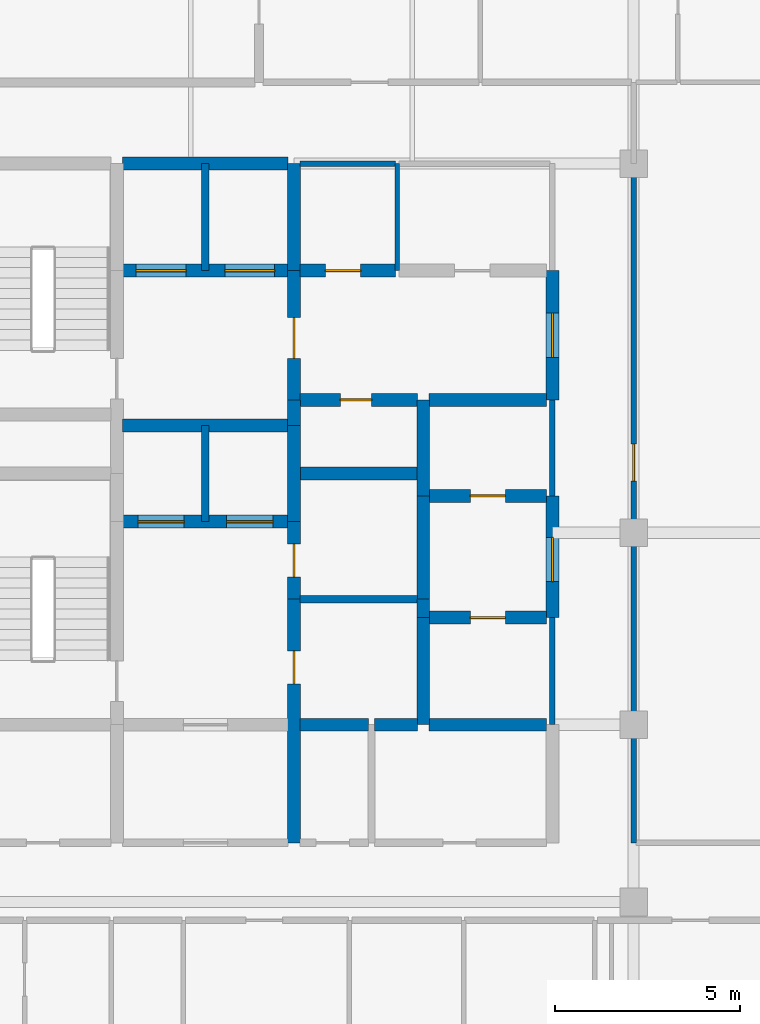
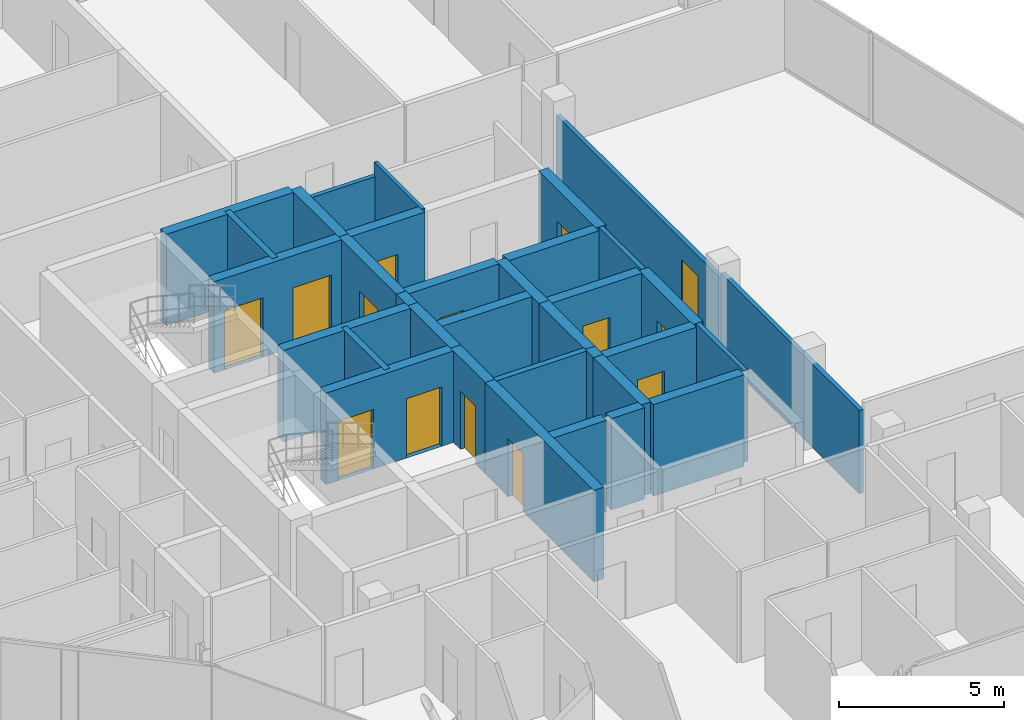
# One storey, part 24 of 27: 34 walls, 14 doors, 14 openings.
"""IFC4 building model written with IfcOpenShell, lengths in metres."""

from ifc_helpers import new_model, si_unit, direction, frame, frame_2d, origin, place, context, subcontext, project, spatial, rectangle, extrude, material, layer, layer_set, type_object, element, fill, save


model = new_model("IFC4")

# Units and contexts
model_context = context("Model", 3, precision=1e-05, world=origin(), true_north=direction((0.0, 1.0)))
body_context = subcontext(model_context, "Body", "Model", "MODEL_VIEW")
ifc_project = project(units=[si_unit("LENGTHUNIT", "METRE"), si_unit("AREAUNIT", "SQUARE_METRE"), si_unit("VOLUMEUNIT", "CUBIC_METRE"), si_unit("PLANEANGLEUNIT", "RADIAN"), si_unit("MASSUNIT", "GRAM", prefix="KILO")], contexts=[model_context])

# Site, building, storey
site_placement = place(None, origin())
site = spatial("IfcSite", under=ifc_project, at=site_placement, CompositionType="ELEMENT")
building_placement = place(site_placement, origin())
building = spatial("IfcBuilding", under=site, at=building_placement, Name="Keshet Zoharim Tower", CompositionType="ELEMENT")
storey_placement = place(building_placement, frame((0.0, 0.0, 247.300048828125)))
storey = spatial("IfcBuildingStorey", under=building, at=storey_placement, Name="L61", CompositionType="ELEMENT", Elevation=247.300048828125)

# Walls
ifc_material_1 = material(Name="Gypsum Plasterboard", Category="gypsum")
ifc_layer_1 = layer(ifc_material_1, 0.14990234375)
ifc_layer_set_1 = layer_set([ifc_layer_1], Name="Gypsum Plasterboard")
wall_type_1 = type_object("IfcWallType", Name="WL-CLIN-150", PredefinedType="STANDARD", material=ifc_layer_set_1)
wall_1_placement = place(storey_placement, frame((30.800048828125, 22.699951171875, 0.0), z_axis=(0.0, 0.0, 1.0), x_axis=(0.0, 1.0, 0.0)))
element("IfcWall", 1, at=wall_1_placement, inside=storey, type_object=wall_type_1, Name="L61 Interior Wall 055", PredefinedType="STANDARD", context=body_context, shape_type="SweptSolid", body=[
    extrude(rectangle(XDim=2.900146484375, YDim=0.14990234375, at=frame_2d((1.4501953125, 0.0))), origin(), (0.0, 0.0, 1.0), 3.389892578125),
])
wall_2_placement = place(storey_placement, frame((30.800048828125, 28.89990234375, 0.0), z_axis=(0.0, 0.0, 1.0), x_axis=(0.0, 1.0, 0.0)))
element("IfcWall", 2, at=wall_2_placement, inside=storey, type_object=wall_type_1, Name="L61 Interior Wall 057", PredefinedType="STANDARD", context=body_context, shape_type="SweptSolid", body=[
    extrude(rectangle(XDim=2.60009765625, YDim=0.14990234375, at=frame_2d((1.300048828125, 0.0))), origin(), (0.0, 0.0, 1.0), 3.389892578125),
])
wall_3_placement = place(storey_placement, frame((33.0, 19.5, 0.0), z_axis=(0.0, 0.0, 1.0), x_axis=(0.0, 1.0, 0.0)))
element("IfcWall", 3, at=wall_3_placement, inside=storey, type_object=wall_type_1, Name="L61 Interior Wall 063", PredefinedType="STANDARD", context=body_context, shape_type="SweptSolid", body=[
    extrude(rectangle(XDim=8.39990234375, YDim=0.14990234375, at=frame_2d((4.199951171875, 0.0))), origin(), (0.0, 0.0, 1.0), 3.099853515625),
])
wall_4_placement = place(storey_placement, frame((23.9599609375, 37.89990234375, 0.0), z_axis=(0.0, 0.0, 1.0), x_axis=(1.0, 0.0, 0.0)))
element("IfcWall", 4, at=wall_4_placement, inside=storey, type_object=wall_type_1, Name="L61 Interior Wall 130", PredefinedType="STANDARD", context=body_context, shape_type="SweptSolid", body=[
    extrude(rectangle(XDim=2.594970703125, YDim=0.14990234375, at=frame_2d((1.29736328125, 0.0))), origin(), (0.0, 0.0, 1.0), 2.889892578125),
])

# Wall, opening, door
wall_5_placement = place(storey_placement, frame((33.0, 27.89990234375, 0.0), z_axis=(0.0, 0.0, 1.0), x_axis=(0.0, 1.0, 0.0)))
wall_5 = element("IfcWall", 5, at=wall_5_placement, inside=storey, type_object=wall_type_1, Name="L61 Interior Wall 063 Part 2", PredefinedType="STANDARD", context=body_context, shape_type="SweptSolid", body=[
    extrude(rectangle(XDim=10.0, YDim=0.14990234375, at=frame_2d((5.0, 0.0))), origin(), (0.0, 0.0, 1.0), 2.889892578125),
])
opening_1_placement = place(wall_5_placement, frame((1.39990234375, 0.0, 0.0)))
opening_1 = element("IfcOpeningElement", 6, at=opening_1_placement, cuts=wall_5, Name="Opening D-F310", PredefinedType="OPENING", context=body_context, shape_type="SweptSolid", body=[
    extrude(rectangle(XDim=1.0, YDim=2.14990234375, at=frame_2d((0.5, 1.074951171875))), frame((0.0, 0.0849609375, 0.0), z_axis=(0.0, -1.0, 0.0), x_axis=(1.0, 0.0, 0.0)), (0.0, 0.0, 1.0), 0.169921875),
])
ifc_material_2 = material(Name="Hardwood Timber", Category="wood")
door_type_1 = type_object("IfcDoorType", Name="DR-FD30-100", OperationType="NOTDEFINED", PredefinedType="DOOR", material=ifc_material_2)
door_1_placement = place(opening_1_placement, origin())
door_1 = element("IfcDoor", 7, at=door_1_placement, inside=storey, type_object=door_type_1, Name="L61 North West Residents Services Suite Door 1", OperationType="SINGLE_SWING_LEFT", OverallHeight=2.14990234375, OverallWidth=1.0, PredefinedType="DOOR", context=body_context, shape_type="SweptSolid", body=[
    extrude(rectangle(XDim=1.0, YDim=2.14990234375, at=frame_2d((0.5, 1.074951171875))), frame((0.0, 0.02490234375, 0.0), z_axis=(0.0, -1.0, 0.0), x_axis=(1.0, 0.0, 0.0)), (0.0, 0.0, 1.0), 0.050048828125),
])
fill(opening_1, door_1)

ifc_material_3 = material(Name="Concrete C60/75", Category="concrete")
ifc_layer_2 = layer(ifc_material_3, 0.35009765625)
ifc_layer_set_2 = layer_set([ifc_layer_2], Name="Concrete C60/75")
wall_type_2 = type_object("IfcWallType", Name="WL-CORE-350", PredefinedType="SHEAR", material=ifc_layer_set_2)
wall_6_placement = place(storey_placement, frame((23.800048828125, 19.5, 0.0), z_axis=(0.0, 0.0, 1.0), x_axis=(0.0, 1.0, 0.0)))
wall_6 = element("IfcWall", 8, at=wall_6_placement, inside=storey, type_object=wall_type_2, Name="L61 Core Shear Wall 037", PredefinedType="SHEAR", context=body_context, shape_type="SweptSolid", body=[
    extrude(rectangle(XDim=6.60009765625, YDim=0.35009765625, at=frame_2d((3.300048828125, 0.0))), origin(), (0.0, 0.0, 1.0), 3.389892578125),
])
opening_2_placement = place(wall_6_placement, frame((4.303955078125, 0.0, 0.0)))
opening_2 = element("IfcOpeningElement", 9, at=opening_2_placement, cuts=wall_6, Name="Opening D-F690", PredefinedType="OPENING", context=body_context, shape_type="SweptSolid", body=[
    extrude(rectangle(XDim=0.89990234375, YDim=2.14990234375, at=frame_2d((0.449951171875, 1.074951171875))), frame((0.0, 0.18505859375, 0.0), z_axis=(0.0, -1.0, 0.0), x_axis=(1.0, 0.0, 0.0)), (0.0, 0.0, 1.0), 0.3701171875),
])
door_type_2 = type_object("IfcDoorType", Name="DR-FD60-090", OperationType="NOTDEFINED", PredefinedType="DOOR", material=ifc_material_2)
door_2_placement = place(opening_2_placement, origin())
door_2 = element("IfcDoor", 10, at=door_2_placement, inside=storey, type_object=door_type_2, Name="L61 Core Linen Store Door", OperationType="SINGLE_SWING_LEFT", OverallHeight=2.14990234375, OverallWidth=0.89990234375, PredefinedType="DOOR", context=body_context, shape_type="SweptSolid", body=[
    extrude(rectangle(XDim=0.89990234375, YDim=2.14990234375, at=frame_2d((0.449951171875, 1.074951171875))), frame((0.0, 0.02490234375, 0.0), z_axis=(0.0, -1.0, 0.0), x_axis=(1.0, 0.0, 0.0)), (0.0, 0.0, 1.0), 0.050048828125),
])
fill(opening_2, door_2)

wall_7_placement = place(storey_placement, frame((23.800048828125, 26.10009765625, 0.0), z_axis=(0.0, 0.0, 1.0), x_axis=(0.0, 1.0, 0.0)))
wall_7 = element("IfcWall", 11, at=wall_7_placement, inside=storey, type_object=wall_type_2, Name="L61 Core Shear Wall 038", PredefinedType="SHEAR", context=body_context, shape_type="SweptSolid", body=[
    extrude(rectangle(XDim=2.099853515625, YDim=0.35009765625, at=frame_2d((1.0498046875, 0.0))), origin(), (0.0, 0.0, 1.0), 3.389892578125),
])
opening_3_placement = place(wall_7_placement, frame((0.60009765625, 0.0, 0.0)))
opening_3 = element("IfcOpeningElement", 12, at=opening_3_placement, cuts=wall_7, Name="Opening D-F690", PredefinedType="OPENING", context=body_context, shape_type="SweptSolid", body=[
    extrude(rectangle(XDim=0.89990234375, YDim=2.14990234375, at=frame_2d((0.449951171875, 1.074951171875))), frame((0.0, 0.18505859375, 0.0), z_axis=(0.0, -1.0, 0.0), x_axis=(1.0, 0.0, 0.0)), (0.0, 0.0, 1.0), 0.3701171875),
])
door_3_placement = place(opening_3_placement, origin())
door_3 = element("IfcDoor", 13, at=door_3_placement, inside=storey, type_object=door_type_2, Name="L61 Core Electrical Room Door", OperationType="SINGLE_SWING_RIGHT", OverallHeight=2.14990234375, OverallWidth=0.89990234375, PredefinedType="DOOR", context=body_context, shape_type="SweptSolid", body=[
    extrude(rectangle(XDim=0.89990234375, YDim=2.14990234375, at=frame_2d((0.449951171875, 1.074951171875))), frame((0.0, 0.02490234375, 0.0), z_axis=(0.0, -1.0, 0.0), x_axis=(1.0, 0.0, 0.0)), (0.0, 0.0, 1.0), 0.050048828125),
])
fill(opening_3, door_3)

# Walls
wall_8_placement = place(storey_placement, frame((23.800048828125, 28.199951171875, 0.0), z_axis=(0.0, 0.0, 1.0), x_axis=(0.0, 1.0, 0.0)))
element("IfcWall", 14, at=wall_8_placement, inside=storey, type_object=wall_type_2, Name="L61 Core Shear Wall 039", PredefinedType="SHEAR", context=body_context, shape_type="SweptSolid", body=[
    extrude(rectangle(XDim=2.60009765625, YDim=0.35009765625, at=frame_2d((1.300048828125, 0.0))), origin(), (0.0, 0.0, 1.0), 3.389892578125),
])
wall_9_placement = place(storey_placement, frame((23.800048828125, 30.800048828125, 0.0), z_axis=(0.0, 0.0, 1.0), x_axis=(0.0, 1.0, 0.0)))
element("IfcWall", 15, at=wall_9_placement, inside=storey, type_object=wall_type_2, Name="L61 Core Shear Wall 040", PredefinedType="SHEAR", context=body_context, shape_type="SweptSolid", body=[
    extrude(rectangle(XDim=0.699951171875, YDim=0.35009765625, at=frame_2d((0.35009765625, 0.0))), origin(), (0.0, 0.0, 1.0), 3.389892578125),
])

# Wall, opening, door
wall_10_placement = place(storey_placement, frame((23.800048828125, 31.5, 0.0), z_axis=(0.0, 0.0, 1.0), x_axis=(0.0, 1.0, 0.0)))
wall_10 = element("IfcWall", 16, at=wall_10_placement, inside=storey, type_object=wall_type_2, Name="L61 Core Shear Wall 041", PredefinedType="SHEAR", context=body_context, shape_type="SweptSolid", body=[
    extrude(rectangle(XDim=3.5, YDim=0.35009765625, at=frame_2d((1.75, 0.0))), origin(), (0.0, 0.0, 1.0), 3.389892578125),
])
opening_4_placement = place(wall_10_placement, frame((1.126953125, 0.0, 0.0)))
opening_4 = element("IfcOpeningElement", 17, at=opening_4_placement, cuts=wall_10, Name="Opening D-F611", PredefinedType="OPENING", context=body_context, shape_type="SweptSolid", body=[
    extrude(rectangle(XDim=1.10009765625, YDim=2.14990234375, at=frame_2d((0.550048828125, 1.074951171875))), frame((0.0, 0.18505859375, 0.0), z_axis=(0.0, -1.0, 0.0), x_axis=(1.0, 0.0, 0.0)), (0.0, 0.0, 1.0), 0.3701171875),
])
door_type_3 = type_object("IfcDoorType", Name="DR-FD60-110", OperationType="NOTDEFINED", PredefinedType="DOOR", material=ifc_material_2)
door_4_placement = place(opening_4_placement, origin())
door_4 = element("IfcDoor", 18, at=door_4_placement, inside=storey, type_object=door_type_3, Name="L61 Firefighting Lobby Fire Door", OperationType="SINGLE_SWING_LEFT", OverallHeight=2.14990234375, OverallWidth=1.10009765625, PredefinedType="DOOR", context=body_context, shape_type="SweptSolid", body=[
    extrude(rectangle(XDim=1.10009765625, YDim=2.14990234375, at=frame_2d((0.550048828125, 1.074951171875))), frame((0.0, 0.02490234375, 0.0), z_axis=(0.0, -1.0, 0.0), x_axis=(1.0, 0.0, 0.0)), (0.0, 0.0, 1.0), 0.050048828125),
])
fill(opening_4, door_4)

# Walls
wall_11_placement = place(storey_placement, frame((23.800048828125, 35.0, 0.0), z_axis=(0.0, 0.0, 1.0), x_axis=(0.0, 1.0, 0.0)))
element("IfcWall", 19, at=wall_11_placement, inside=storey, type_object=wall_type_2, Name="L61 Core Shear Wall 042", PredefinedType="SHEAR", context=body_context, shape_type="SweptSolid", body=[
    extrude(rectangle(XDim=2.89990234375, YDim=0.35009765625, at=frame_2d((1.449951171875, 0.0))), origin(), (0.0, 0.0, 1.0), 3.389892578125),
])
wall_12_placement = place(storey_placement, frame((27.300048828125, 22.699951171875, 0.0), z_axis=(0.0, 0.0, 1.0), x_axis=(0.0, 1.0, 0.0)))
element("IfcWall", 20, at=wall_12_placement, inside=storey, type_object=wall_type_2, Name="L61 Core Shear Wall 047", PredefinedType="SHEAR", context=body_context, shape_type="SweptSolid", body=[
    extrude(rectangle(XDim=2.900146484375, YDim=0.35009765625, at=frame_2d((1.4501953125, 0.0))), origin(), (0.0, 0.0, 1.0), 3.389892578125),
])
wall_13_placement = place(storey_placement, frame((27.300048828125, 25.60009765625, 0.0), z_axis=(0.0, 0.0, 1.0), x_axis=(0.0, 1.0, 0.0)))
element("IfcWall", 21, at=wall_13_placement, inside=storey, type_object=wall_type_2, Name="L61 Core Shear Wall 048", PredefinedType="SHEAR", context=body_context, shape_type="SweptSolid", body=[
    extrude(rectangle(XDim=0.5, YDim=0.35009765625, at=frame_2d((0.25, 0.0))), origin(), (0.0, 0.0, 1.0), 3.389892578125),
])
wall_14_placement = place(storey_placement, frame((27.300048828125, 26.10009765625, 0.0), z_axis=(0.0, 0.0, 1.0), x_axis=(0.0, 1.0, 0.0)))
element("IfcWall", 22, at=wall_14_placement, inside=storey, type_object=wall_type_2, Name="L61 Core Shear Wall 049", PredefinedType="SHEAR", context=body_context, shape_type="SweptSolid", body=[
    extrude(rectangle(XDim=2.7998046875, YDim=0.35009765625, at=frame_2d((1.39990234375, 0.0))), origin(), (0.0, 0.0, 1.0), 3.389892578125),
])
wall_15_placement = place(storey_placement, frame((27.300048828125, 28.89990234375, 0.0), z_axis=(0.0, 0.0, 1.0), x_axis=(0.0, 1.0, 0.0)))
element("IfcWall", 23, at=wall_15_placement, inside=storey, type_object=wall_type_2, Name="L61 Core Shear Wall 050", PredefinedType="SHEAR", context=body_context, shape_type="SweptSolid", body=[
    extrude(rectangle(XDim=2.60009765625, YDim=0.35009765625, at=frame_2d((1.300048828125, 0.0))), origin(), (0.0, 0.0, 1.0), 3.389892578125),
])

# Wall, opening, door
wall_16_placement = place(storey_placement, frame((30.800048828125, 25.60009765625, 0.0), z_axis=(0.0, 0.0, 1.0), x_axis=(0.0, 1.0, 0.0)))
wall_16 = element("IfcWall", 24, at=wall_16_placement, inside=storey, type_object=wall_type_2, Name="L61 Core Shear Wall 056", PredefinedType="SHEAR", context=body_context, shape_type="SweptSolid", body=[
    extrude(rectangle(XDim=3.2998046875, YDim=0.35009765625, at=frame_2d((1.64990234375, 0.0))), origin(), (0.0, 0.0, 1.0), 3.389892578125),
])
opening_5_placement = place(wall_16_placement, frame((0.97802734375, 0.0, 0.0)))
opening_5 = element("IfcOpeningElement", 25, at=opening_5_placement, cuts=wall_16, Name="Opening D-F612", PredefinedType="OPENING", context=body_context, shape_type="SweptSolid", body=[
    extrude(rectangle(XDim=1.199951171875, YDim=2.199951171875, at=frame_2d((0.60009765625, 1.10009765625))), frame((0.0, 0.18505859375, 0.0), z_axis=(0.0, -1.0, 0.0), x_axis=(1.0, 0.0, 0.0)), (0.0, 0.0, 1.0), 0.3701171875),
])
door_type_4 = type_object("IfcDoorType", Name="DR-FD60-120", OperationType="NOTDEFINED", PredefinedType="DOOR", material=ifc_material_2)
door_5_placement = place(opening_5_placement, origin())
door_5 = element("IfcDoor", 26, at=door_5_placement, inside=storey, type_object=door_type_4, Name="L61 East Lift Lobby Fire Door", OperationType="SINGLE_SWING_LEFT", OverallHeight=2.199951171875, OverallWidth=1.199951171875, PredefinedType="DOOR", context=body_context, shape_type="SweptSolid", body=[
    extrude(rectangle(XDim=1.199951171875, YDim=2.199951171875, at=frame_2d((0.60009765625, 1.10009765625))), frame((0.0, 0.02490234375, 0.0), z_axis=(0.0, -1.0, 0.0), x_axis=(1.0, 0.0, 0.0)), (0.0, 0.0, 1.0), 0.050048828125),
])
fill(opening_5, door_5)

wall_17_placement = place(storey_placement, frame((30.800048828125, 31.5, 0.0), z_axis=(0.0, 0.0, 1.0), x_axis=(0.0, 1.0, 0.0)))
wall_17 = element("IfcWall", 27, at=wall_17_placement, inside=storey, type_object=wall_type_2, Name="L61 Core Shear Wall 058", PredefinedType="SHEAR", context=body_context, shape_type="SweptSolid", body=[
    extrude(rectangle(XDim=3.5, YDim=0.35009765625, at=frame_2d((1.75, 0.0))), origin(), (0.0, 0.0, 1.0), 3.389892578125),
])
opening_6_placement = place(wall_17_placement, frame((1.14990234375, 0.0, 0.0)))
opening_6 = element("IfcOpeningElement", 28, at=opening_6_placement, cuts=wall_17, Name="Opening D-F612", PredefinedType="OPENING", context=body_context, shape_type="SweptSolid", body=[
    extrude(rectangle(XDim=1.199951171875, YDim=2.199951171875, at=frame_2d((0.60009765625, 1.10009765625))), frame((0.0, 0.18505859375, 0.0), z_axis=(0.0, -1.0, 0.0), x_axis=(1.0, 0.0, 0.0)), (0.0, 0.0, 1.0), 0.3701171875),
])
door_6_placement = place(opening_6_placement, origin())
door_6 = element("IfcDoor", 29, at=door_6_placement, inside=storey, type_object=door_type_4, Name="L61 North Lift Lobby East Fire Door", OperationType="SINGLE_SWING_RIGHT", OverallHeight=2.199951171875, OverallWidth=1.199951171875, PredefinedType="DOOR", context=body_context, shape_type="SweptSolid", body=[
    extrude(rectangle(XDim=1.199951171875, YDim=2.199951171875, at=frame_2d((0.60009765625, 1.10009765625))), frame((0.0, 0.02490234375, 0.0), z_axis=(0.0, -1.0, 0.0), x_axis=(1.0, 0.0, 0.0)), (0.0, 0.0, 1.0), 0.050048828125),
])
fill(opening_6, door_6)

# Walls
wall_18_placement = place(storey_placement, frame((23.9599609375, 22.699951171875, 0.0), z_axis=(0.0, 0.0, 1.0), x_axis=(1.0, 0.0, 0.0)))
element("IfcWall", 30, at=wall_18_placement, inside=storey, type_object=wall_type_2, Name="L61 Core Shear Wall 102", PredefinedType="SHEAR", context=body_context, shape_type="SweptSolid", body=[
    extrude(rectangle(XDim=1.85498046875, YDim=0.35009765625, at=frame_2d((0.927490234375, 0.0))), origin(), (0.0, 0.0, 1.0), 3.389892578125),
])
wall_19_placement = place(storey_placement, frame((25.985107421875, 22.699951171875, 0.0), z_axis=(0.0, 0.0, 1.0), x_axis=(1.0, 0.0, 0.0)))
element("IfcWall", 31, at=wall_19_placement, inside=storey, type_object=wall_type_2, Name="L61 Core Shear Wall 103", PredefinedType="SHEAR", context=body_context, shape_type="SweptSolid", body=[
    extrude(rectangle(XDim=1.15478515625, YDim=0.35009765625, at=frame_2d((0.577392578125, 0.0))), origin(), (0.0, 0.0, 1.0), 3.389892578125),
])
wall_20_placement = place(storey_placement, frame((27.4599609375, 22.699951171875, 0.0), z_axis=(0.0, 0.0, 1.0), x_axis=(1.0, 0.0, 0.0)))
element("IfcWall", 32, at=wall_20_placement, inside=storey, type_object=wall_type_2, Name="L61 Core Shear Wall 104", PredefinedType="SHEAR", context=body_context, shape_type="SweptSolid", body=[
    extrude(rectangle(XDim=3.179931640625, YDim=0.35009765625, at=frame_2d((1.58984375, 0.0))), origin(), (0.0, 0.0, 1.0), 3.389892578125),
])

# Wall, opening, door
wall_21_placement = place(storey_placement, frame((27.4599609375, 25.60009765625, 0.0), z_axis=(0.0, 0.0, 1.0), x_axis=(1.0, 0.0, 0.0)))
wall_21 = element("IfcWall", 33, at=wall_21_placement, inside=storey, type_object=wall_type_2, Name="L61 Core Shear Wall 107", PredefinedType="SHEAR", context=body_context, shape_type="SweptSolid", body=[
    extrude(rectangle(XDim=3.179931640625, YDim=0.35009765625, at=frame_2d((1.58984375, 0.0))), origin(), (0.0, 0.0, 1.0), 3.389892578125),
])
opening_7_placement = place(wall_21_placement, frame((1.114990234375, 0.0, 0.0)))
opening_7 = element("IfcOpeningElement", 34, at=opening_7_placement, cuts=wall_21, Name="Opening D-F695", PredefinedType="OPENING", context=body_context, shape_type="SweptSolid", body=[
    extrude(rectangle(XDim=0.949951171875, YDim=2.14990234375, at=frame_2d((0.47509765625, 1.074951171875))), frame((0.0, 0.18505859375, 0.0), z_axis=(0.0, -1.0, 0.0), x_axis=(1.0, 0.0, 0.0)), (0.0, 0.0, 1.0), 0.3701171875),
])
door_type_5 = type_object("IfcDoorType", Name="DR-FD60-095", OperationType="NOTDEFINED", PredefinedType="DOOR", material=ifc_material_2)
door_7_placement = place(opening_7_placement, origin())
door_7 = element("IfcDoor", 35, at=door_7_placement, inside=storey, type_object=door_type_5, Name="L61 Study Alcove Door", OperationType="SINGLE_SWING_RIGHT", OverallHeight=2.14990234375, OverallWidth=0.949951171875, PredefinedType="DOOR", context=body_context, shape_type="SweptSolid", body=[
    extrude(rectangle(XDim=0.949951171875, YDim=2.14990234375, at=frame_2d((0.47509765625, 1.074951171875))), frame((0.0, 0.02490234375, 0.0), z_axis=(0.0, -1.0, 0.0), x_axis=(1.0, 0.0, 0.0)), (0.0, 0.0, 1.0), 0.050048828125),
])
fill(opening_7, door_7)

# Wall, openings, doors
wall_22_placement = place(storey_placement, frame((19.159912109375, 28.199951171875, 0.0), z_axis=(0.0, 0.0, 1.0), x_axis=(1.0, 0.0, 0.0)))
wall_22 = element("IfcWall", 36, at=wall_22_placement, inside=storey, type_object=wall_type_2, Name="L61 Core Shear Wall 111", PredefinedType="SHEAR", context=body_context, shape_type="SweptSolid", body=[
    extrude(rectangle(XDim=4.47998046875, YDim=0.35009765625, at=frame_2d((2.239990234375, 0.0))), origin(), (0.0, 0.0, 1.0), 3.389892578125),
])
opening_8_placement = place(wall_22_placement, frame((0.4150390625, 0.0, 0.0)))
opening_8 = element("IfcOpeningElement", 37, at=opening_8_placement, cuts=wall_22, Name="Opening LD-01", PredefinedType="OPENING", context=body_context, shape_type="SweptSolid", body=[
    extrude(rectangle(XDim=1.25, YDim=2.199951171875, at=frame_2d((0.625, 1.10009765625))), frame((0.0, 0.18505859375, 0.0), z_axis=(0.0, -1.0, 0.0), x_axis=(1.0, 0.0, 0.0)), (0.0, 0.0, 1.0), 0.3701171875),
])
opening_9_placement = place(wall_22_placement, frame((2.81494140625, 0.0, 0.0)))
opening_9 = element("IfcOpeningElement", 38, at=opening_9_placement, cuts=wall_22, Name="Opening LD-01", PredefinedType="OPENING", context=body_context, shape_type="SweptSolid", body=[
    extrude(rectangle(XDim=1.25, YDim=2.199951171875, at=frame_2d((0.625, 1.10009765625))), frame((0.0, 0.18505859375, 0.0), z_axis=(0.0, -1.0, 0.0), x_axis=(1.0, 0.0, 0.0)), (0.0, 0.0, 1.0), 0.3701171875),
])
ifc_material_4 = material(Name="Steel S355", Category="steel")
door_type_6 = type_object("IfcDoorType", Name="DR-LD01-125", OperationType="DOUBLE_DOOR_SLIDING", PredefinedType="DOOR", material=ifc_material_4)
door_8_placement = place(opening_8_placement, origin())
door_8 = element("IfcDoor", 39, at=door_8_placement, inside=storey, type_object=door_type_6, Name="L61 Passenger Lift Landing Door LF-09", OperationType="DOUBLE_DOOR_SLIDING", OverallHeight=2.199951171875, OverallWidth=1.25, PredefinedType="DOOR", context=body_context, shape_type="SweptSolid", body=[
    extrude(rectangle(XDim=1.25, YDim=2.199951171875, at=frame_2d((0.625, 1.10009765625))), frame((0.0, 0.02490234375, 0.0), z_axis=(0.0, -1.0, 0.0), x_axis=(1.0, 0.0, 0.0)), (0.0, 0.0, 1.0), 0.050048828125),
])
fill(opening_8, door_8)
door_9_placement = place(opening_9_placement, origin())
door_9 = element("IfcDoor", 40, at=door_9_placement, inside=storey, type_object=door_type_6, Name="L61 Passenger Lift Landing Door LF-10", OperationType="DOUBLE_DOOR_SLIDING", OverallHeight=2.199951171875, OverallWidth=1.25, PredefinedType="DOOR", context=body_context, shape_type="SweptSolid", body=[
    extrude(rectangle(XDim=1.25, YDim=2.199951171875, at=frame_2d((0.625, 1.10009765625))), frame((0.0, 0.02490234375, 0.0), z_axis=(0.0, -1.0, 0.0), x_axis=(1.0, 0.0, 0.0)), (0.0, 0.0, 1.0), 0.050048828125),
])
fill(opening_9, door_9)

# Wall, opening, door
wall_23_placement = place(storey_placement, frame((27.4599609375, 28.89990234375, 0.0), z_axis=(0.0, 0.0, 1.0), x_axis=(1.0, 0.0, 0.0)))
wall_23 = element("IfcWall", 41, at=wall_23_placement, inside=storey, type_object=wall_type_2, Name="L61 Core Shear Wall 116", PredefinedType="SHEAR", context=body_context, shape_type="SweptSolid", body=[
    extrude(rectangle(XDim=3.179931640625, YDim=0.35009765625, at=frame_2d((1.58984375, 0.0))), origin(), (0.0, 0.0, 1.0), 3.389892578125),
])
opening_10_placement = place(wall_23_placement, frame((1.114990234375, 0.0, 0.0)))
opening_10 = element("IfcOpeningElement", 42, at=opening_10_placement, cuts=wall_23, Name="Opening D-F695", PredefinedType="OPENING", context=body_context, shape_type="SweptSolid", body=[
    extrude(rectangle(XDim=0.949951171875, YDim=2.14990234375, at=frame_2d((0.47509765625, 1.074951171875))), frame((0.0, 0.18505859375, 0.0), z_axis=(0.0, -1.0, 0.0), x_axis=(1.0, 0.0, 0.0)), (0.0, 0.0, 1.0), 0.3701171875),
])
door_10_placement = place(opening_10_placement, frame((0.949951171875, 0.0, 0.0), z_axis=(0.0, 0.0, 1.0), x_axis=(-1.0, 0.0, 0.0)))
door_10 = element("IfcDoor", 43, at=door_10_placement, inside=storey, type_object=door_type_5, Name="L61 Parcel Store Door", OperationType="SINGLE_SWING_LEFT", OverallHeight=2.14990234375, OverallWidth=0.949951171875, PredefinedType="DOOR", context=body_context, shape_type="SweptSolid", body=[
    extrude(rectangle(XDim=0.949951171875, YDim=2.14990234375, at=frame_2d((0.47509765625, 1.074951171875))), frame((0.0, 0.02490234375, 0.0), z_axis=(0.0, -1.0, 0.0), x_axis=(1.0, 0.0, 0.0)), (0.0, 0.0, 1.0), 0.050048828125),
])
fill(opening_10, door_10)

# Walls
wall_24_placement = place(storey_placement, frame((23.9599609375, 29.5, 0.0), z_axis=(0.0, 0.0, 1.0), x_axis=(1.0, 0.0, 0.0)))
element("IfcWall", 44, at=wall_24_placement, inside=storey, type_object=wall_type_2, Name="L61 Core Shear Wall 118", PredefinedType="SHEAR", context=body_context, shape_type="SweptSolid", body=[
    extrude(rectangle(XDim=3.179931640625, YDim=0.35009765625, at=frame_2d((1.58984375, 0.0))), origin(), (0.0, 0.0, 1.0), 3.389892578125),
])
wall_25_placement = place(storey_placement, frame((19.159912109375, 30.800048828125, 0.0), z_axis=(0.0, 0.0, 1.0), x_axis=(1.0, 0.0, 0.0)))
element("IfcWall", 45, at=wall_25_placement, inside=storey, type_object=wall_type_2, Name="L61 Core Shear Wall 119", PredefinedType="SHEAR", context=body_context, shape_type="SweptSolid", body=[
    extrude(rectangle(XDim=4.47998046875, YDim=0.35009765625, at=frame_2d((2.239990234375, 0.0))), origin(), (0.0, 0.0, 1.0), 3.389892578125),
])

# Wall, opening, door
wall_26_placement = place(storey_placement, frame((23.9599609375, 31.5, 0.0), z_axis=(0.0, 0.0, 1.0), x_axis=(1.0, 0.0, 0.0)))
wall_26 = element("IfcWall", 46, at=wall_26_placement, inside=storey, type_object=wall_type_2, Name="L61 Core Shear Wall 123", PredefinedType="SHEAR", context=body_context, shape_type="SweptSolid", body=[
    extrude(rectangle(XDim=3.179931640625, YDim=0.35009765625, at=frame_2d((1.58984375, 0.0))), origin(), (0.0, 0.0, 1.0), 3.389892578125),
])
opening_11_placement = place(wall_26_placement, frame((1.093994140625, 0.0, 0.0)))
opening_11 = element("IfcOpeningElement", 47, at=opening_11_placement, cuts=wall_26, Name="Opening D-RS85", PredefinedType="OPENING", context=body_context, shape_type="SweptSolid", body=[
    extrude(rectangle(XDim=0.85009765625, YDim=2.10009765625, at=frame_2d((0.425048828125, 1.050048828125))), frame((0.0, 0.18505859375, 0.0), z_axis=(0.0, -1.0, 0.0), x_axis=(1.0, 0.0, 0.0)), (0.0, 0.0, 1.0), 0.3701171875),
])
door_type_7 = type_object("IfcDoorType", Name="DR-RIS-085", OperationType="NOTDEFINED", PredefinedType="DOOR", material=ifc_material_2)
door_11_placement = place(opening_11_placement, origin())
door_11 = element("IfcDoor", 48, at=door_11_placement, inside=storey, type_object=door_type_7, Name="L61 Telecom Riser Access Cupboard Door", OperationType="SINGLE_SWING_RIGHT", OverallHeight=2.10009765625, OverallWidth=0.85009765625, PredefinedType="DOOR", context=body_context, shape_type="SweptSolid", body=[
    extrude(rectangle(XDim=0.85009765625, YDim=2.10009765625, at=frame_2d((0.425048828125, 1.050048828125))), frame((0.0, 0.02490234375, 0.0), z_axis=(0.0, -1.0, 0.0), x_axis=(1.0, 0.0, 0.0)), (0.0, 0.0, 1.0), 0.050048828125),
])
fill(opening_11, door_11)

# Wall
wall_27_placement = place(storey_placement, frame((27.4599609375, 31.5, 0.0), z_axis=(0.0, 0.0, 1.0), x_axis=(1.0, 0.0, 0.0)))
element("IfcWall", 49, at=wall_27_placement, inside=storey, type_object=wall_type_2, Name="L61 Core Shear Wall 124", PredefinedType="SHEAR", context=body_context, shape_type="SweptSolid", body=[
    extrude(rectangle(XDim=3.179931640625, YDim=0.35009765625, at=frame_2d((1.58984375, 0.0))), origin(), (0.0, 0.0, 1.0), 3.389892578125),
])

# Wall, openings, doors
wall_28_placement = place(storey_placement, frame((19.159912109375, 35.0, 0.0), z_axis=(0.0, 0.0, 1.0), x_axis=(1.0, 0.0, 0.0)))
wall_28 = element("IfcWall", 50, at=wall_28_placement, inside=storey, type_object=wall_type_2, Name="L61 Core Shear Wall 125", PredefinedType="SHEAR", context=body_context, shape_type="SweptSolid", body=[
    extrude(rectangle(XDim=4.47998046875, YDim=0.35009765625, at=frame_2d((2.239990234375, 0.0))), origin(), (0.0, 0.0, 1.0), 3.389892578125),
])
opening_12_placement = place(wall_28_placement, frame((0.364990234375, 0.0, 0.0)))
opening_12 = element("IfcOpeningElement", 51, at=opening_12_placement, cuts=wall_28, Name="Opening LD-02", PredefinedType="OPENING", context=body_context, shape_type="SweptSolid", body=[
    extrude(rectangle(XDim=1.35009765625, YDim=2.199951171875, at=frame_2d((0.675048828125, 1.10009765625))), frame((0.0, 0.18505859375, 0.0), z_axis=(0.0, -1.0, 0.0), x_axis=(1.0, 0.0, 0.0)), (0.0, 0.0, 1.0), 0.3701171875),
])
opening_13_placement = place(wall_28_placement, frame((2.764892578125, 0.0, 0.0)))
opening_13 = element("IfcOpeningElement", 52, at=opening_13_placement, cuts=wall_28, Name="Opening LD-02", PredefinedType="OPENING", context=body_context, shape_type="SweptSolid", body=[
    extrude(rectangle(XDim=1.35009765625, YDim=2.199951171875, at=frame_2d((0.675048828125, 1.10009765625))), frame((0.0, 0.18505859375, 0.0), z_axis=(0.0, -1.0, 0.0), x_axis=(1.0, 0.0, 0.0)), (0.0, 0.0, 1.0), 0.3701171875),
])
door_type_8 = type_object("IfcDoorType", Name="DR-LD02-135", OperationType="DOUBLE_DOOR_SLIDING", PredefinedType="DOOR", material=ifc_material_4)
door_12_placement = place(opening_12_placement, origin())
door_12 = element("IfcDoor", 53, at=door_12_placement, inside=storey, type_object=door_type_8, Name="L61 Firefighting Lift Landing Door FF-01", OperationType="DOUBLE_DOOR_SLIDING", OverallHeight=2.199951171875, OverallWidth=1.35009765625, PredefinedType="DOOR", context=body_context, shape_type="SweptSolid", body=[
    extrude(rectangle(XDim=1.35009765625, YDim=2.199951171875, at=frame_2d((0.675048828125, 1.10009765625))), frame((0.0, 0.02490234375, 0.0), z_axis=(0.0, -1.0, 0.0), x_axis=(1.0, 0.0, 0.0)), (0.0, 0.0, 1.0), 0.050048828125),
])
fill(opening_12, door_12)
door_13_placement = place(opening_13_placement, origin())
door_13 = element("IfcDoor", 54, at=door_13_placement, inside=storey, type_object=door_type_8, Name="L61 Firefighting Lift Landing Door FF-02", OperationType="DOUBLE_DOOR_SLIDING", OverallHeight=2.199951171875, OverallWidth=1.35009765625, PredefinedType="DOOR", context=body_context, shape_type="SweptSolid", body=[
    extrude(rectangle(XDim=1.35009765625, YDim=2.199951171875, at=frame_2d((0.675048828125, 1.10009765625))), frame((0.0, 0.02490234375, 0.0), z_axis=(0.0, -1.0, 0.0), x_axis=(1.0, 0.0, 0.0)), (0.0, 0.0, 1.0), 0.050048828125),
])
fill(opening_13, door_13)

# Wall, opening, door
wall_29_placement = place(storey_placement, frame((23.9599609375, 35.0, 0.0), z_axis=(0.0, 0.0, 1.0), x_axis=(1.0, 0.0, 0.0)))
wall_29 = element("IfcWall", 55, at=wall_29_placement, inside=storey, type_object=wall_type_2, Name="L61 Core Shear Wall 126", PredefinedType="SHEAR", context=body_context, shape_type="SweptSolid", body=[
    extrude(rectangle(XDim=2.594970703125, YDim=0.35009765625, at=frame_2d((1.29736328125, 0.0))), origin(), (0.0, 0.0, 1.0), 3.389892578125),
])
opening_14_placement = place(wall_29_placement, frame((0.69091796875, 0.0, 0.0)))
opening_14 = element("IfcOpeningElement", 56, at=opening_14_placement, cuts=wall_29, Name="Opening D-F695", PredefinedType="OPENING", context=body_context, shape_type="SweptSolid", body=[
    extrude(rectangle(XDim=0.949951171875, YDim=2.14990234375, at=frame_2d((0.47509765625, 1.074951171875))), frame((0.0, 0.18505859375, 0.0), z_axis=(0.0, -1.0, 0.0), x_axis=(1.0, 0.0, 0.0)), (0.0, 0.0, 1.0), 0.3701171875),
])
door_14_placement = place(opening_14_placement, frame((0.949951171875, 0.0, 0.0), z_axis=(0.0, 0.0, 1.0), x_axis=(-1.0, 0.0, 0.0)))
door_14 = element("IfcDoor", 57, at=door_14_placement, inside=storey, type_object=door_type_5, Name="L61 Laundry Room Door", OperationType="SINGLE_SWING_LEFT", OverallHeight=2.14990234375, OverallWidth=0.949951171875, PredefinedType="DOOR", context=body_context, shape_type="SweptSolid", body=[
    extrude(rectangle(XDim=0.949951171875, YDim=2.14990234375, at=frame_2d((0.47509765625, 1.074951171875))), frame((0.0, 0.02490234375, 0.0), z_axis=(0.0, -1.0, 0.0), x_axis=(1.0, 0.0, 0.0)), (0.0, 0.0, 1.0), 0.050048828125),
])
fill(opening_14, door_14)

# Walls
wall_30_placement = place(storey_placement, frame((19.159912109375, 37.89990234375, 0.0), z_axis=(0.0, 0.0, 1.0), x_axis=(1.0, 0.0, 0.0)))
element("IfcWall", 58, at=wall_30_placement, inside=storey, type_object=wall_type_2, Name="L61 Core Shear Wall 129", PredefinedType="SHEAR", context=body_context, shape_type="SweptSolid", body=[
    extrude(rectangle(XDim=4.47998046875, YDim=0.35009765625, at=frame_2d((2.239990234375, 0.0))), origin(), (0.0, 0.0, 1.0), 3.389892578125),
])
ifc_material_5 = material(Name="Concrete C50/60", Category="concrete")
ifc_layer_3 = layer(ifc_material_5, 0.199951171875)
ifc_layer_set_3 = layer_set([ifc_layer_3], Name="Concrete C50/60")
wall_type_3 = type_object("IfcWallType", Name="WL-FIRE-200", PredefinedType="STANDARD", material=ifc_layer_set_3)
wall_31_placement = place(storey_placement, frame((21.39990234375, 28.199951171875, 0.0), z_axis=(0.0, 0.0, 1.0), x_axis=(0.0, 1.0, 0.0)))
element("IfcWall", 59, at=wall_31_placement, inside=storey, type_object=wall_type_3, Name="L61 Interior Wall 032", PredefinedType="STANDARD", context=body_context, shape_type="SweptSolid", body=[
    extrude(rectangle(XDim=2.60009765625, YDim=0.199951171875, at=frame_2d((1.300048828125, 0.0))), origin(), (0.0, 0.0, 1.0), 3.389892578125),
])
wall_32_placement = place(storey_placement, frame((21.39990234375, 35.0, 0.0), z_axis=(0.0, 0.0, 1.0), x_axis=(0.0, 1.0, 0.0)))
element("IfcWall", 60, at=wall_32_placement, inside=storey, type_object=wall_type_3, Name="L61 Interior Wall 033", PredefinedType="STANDARD", context=body_context, shape_type="SweptSolid", body=[
    extrude(rectangle(XDim=2.89990234375, YDim=0.199951171875, at=frame_2d((1.449951171875, 0.0))), origin(), (0.0, 0.0, 1.0), 3.389892578125),
])
wall_33_placement = place(storey_placement, frame((23.9599609375, 26.10009765625, 0.0), z_axis=(0.0, 0.0, 1.0), x_axis=(1.0, 0.0, 0.0)))
element("IfcWall", 61, at=wall_33_placement, inside=storey, type_object=wall_type_3, Name="L61 Interior Wall 110", PredefinedType="STANDARD", context=body_context, shape_type="SweptSolid", body=[
    extrude(rectangle(XDim=3.179931640625, YDim=0.199951171875, at=frame_2d((1.58984375, 0.0))), origin(), (0.0, 0.0, 1.0), 3.389892578125),
])
ifc_layer_4 = layer(ifc_material_1, 0.1201171875)
ifc_layer_set_4 = layer_set([ifc_layer_4], Name="Gypsum Plasterboard")
wall_type_4 = type_object("IfcWallType", Name="WL-PART-120", PredefinedType="PARTITIONING", material=ifc_layer_set_4)
wall_34_placement = place(storey_placement, frame((26.60009765625, 35.0, 0.0), z_axis=(0.0, 0.0, 1.0), x_axis=(0.0, 1.0, 0.0)))
element("IfcWall", 62, at=wall_34_placement, inside=storey, type_object=wall_type_4, Name="L61 Interior Wall 046", PredefinedType="PARTITIONING", context=body_context, shape_type="SweptSolid", body=[
    extrude(rectangle(XDim=2.89990234375, YDim=0.1201171875, at=frame_2d((1.449951171875, 0.0))), origin(), (0.0, 0.0, 1.0), 3.389892578125),
])

save(model, "model.ifc")
